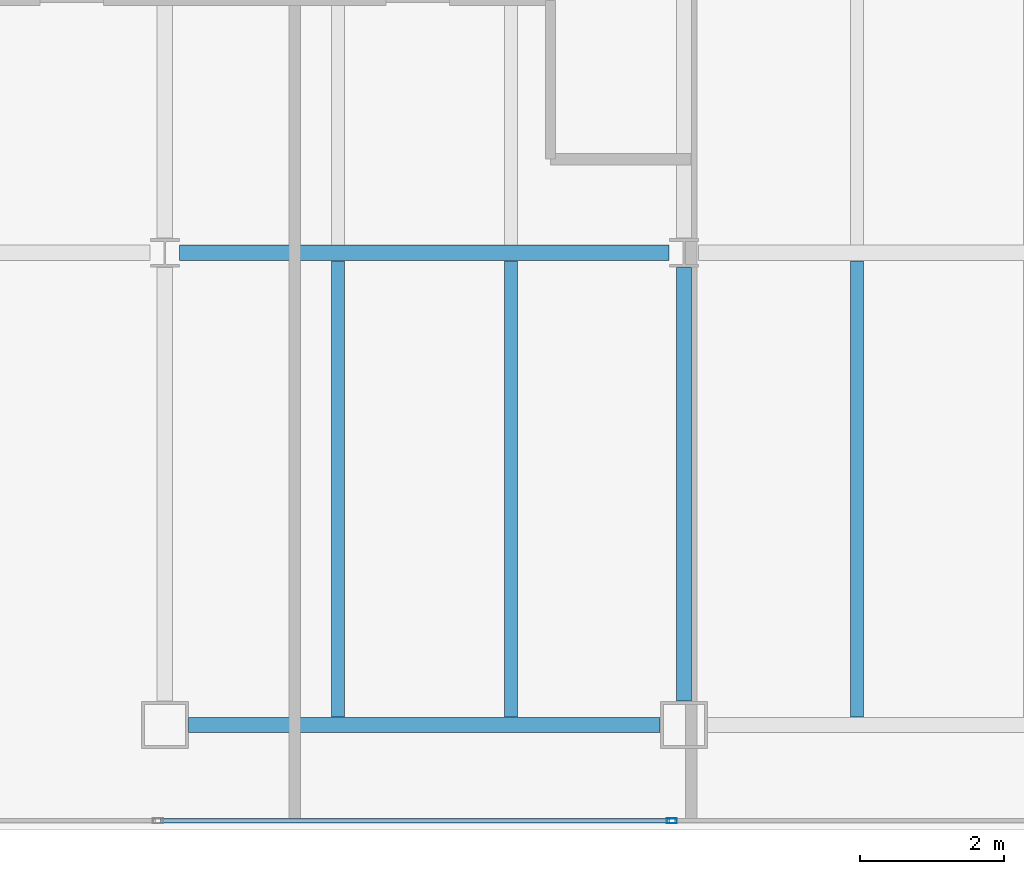
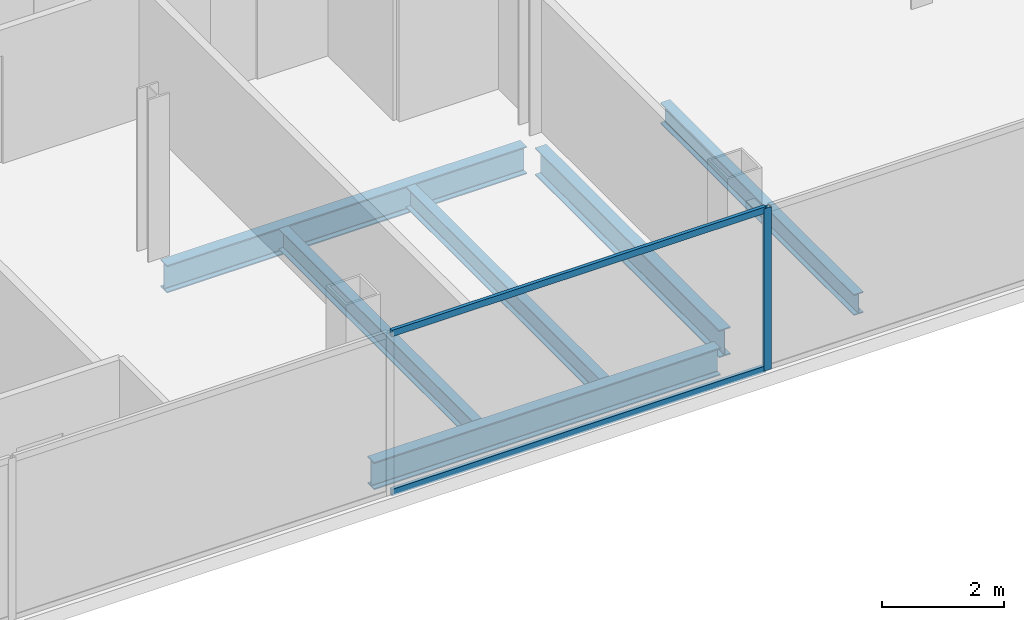
# One storey, part 6 of 23: 6 beams, 3 members, 1 element without a shape of its own.
"""IFC4 building model written with IfcOpenShell, lengths in metres."""

from ifc_helpers import new_model, si_unit, direction, frame, origin, origin_2d, place, context, subcontext, project, spatial, hollow_rectangle, i_section, extrude, material, material_profile, profile_set, type_object, element, aggregate, save


model = new_model("IFC4")

# Units and contexts
model_context = context("Model", 3, precision=1e-05, world=origin(), true_north=direction((0.0, 1.0)))
body_context = subcontext(model_context, "Body", "Model", "MODEL_VIEW")
ifc_project = project(units=[si_unit("LENGTHUNIT", "METRE"), si_unit("AREAUNIT", "SQUARE_METRE"), si_unit("VOLUMEUNIT", "CUBIC_METRE"), si_unit("PLANEANGLEUNIT", "RADIAN"), si_unit("MASSUNIT", "GRAM", prefix="KILO")], contexts=[model_context])

# Site, building, storey
site_placement = place(None, origin())
site = spatial("IfcSite", under=ifc_project, at=site_placement, CompositionType="ELEMENT")
building_placement = place(site_placement, origin())
building = spatial("IfcBuilding", under=site, at=building_placement, Name="Cobrela Telecom Tower", CompositionType="ELEMENT")
storey_placement = place(building_placement, frame((0.0, 0.0, 269.14990234375)))
storey = spatial("IfcBuildingStorey", under=building, at=storey_placement, Name="L70", CompositionType="ELEMENT", Elevation=269.14990234375)

# Beams
ifc_material_1 = material(Name="Steel ASTM A992 Grade 50", Category="steel")
ifc_material_profile_1 = material_profile(ifc_material_1, i_section(OverallWidth=0.212890625, OverallDepth=0.549072265625, WebThickness=0.0146484375, FlangeThickness=0.023681640625, FilletRadius=0.013916015625, at=origin_2d()), Name="W21X93")
ifc_profile_set_1 = profile_set([ifc_material_profile_1], Name="Steel ASTM A992 Grade 50")
beam_type_1 = type_object("IfcBeamType", Name="BM-GIRD-08", PredefinedType="USERDEFINED", material=ifc_profile_set_1)
beam_1_placement = place(storey_placement, frame((21.929931640625, 7.85009765625, -0.534423828125), z_axis=(1.0, 0.0, 0.0), x_axis=(0.0, 1.0, 0.0)))
element("IfcBeam", 1, at=beam_1_placement, inside=storey, type_object=beam_type_1, Name="L70 Primary Girder X03", ObjectType="GIRDER", PredefinedType="USERDEFINED", context=body_context, shape_type="SweptSolid", body=[
    extrude(i_section(OverallWidth=0.212890625, OverallDepth=0.549072265625, WebThickness=0.0146484375, FlangeThickness=0.023681640625, FilletRadius=0.013916015625, at=origin_2d()), origin(), (0.0, 0.0, 1.0), 6.5400390625),
])
beam_2_placement = place(storey_placement, frame((21.804443359375, 14.39990234375, -0.534423828125), z_axis=(1.0, 0.0, 0.0), x_axis=(0.0, 1.0, 0.0)))
element("IfcBeam", 2, at=beam_2_placement, inside=storey, type_object=beam_type_1, Name="L70 Primary Girder X06", ObjectType="GIRDER", PredefinedType="USERDEFINED", context=body_context, shape_type="SweptSolid", body=[
    extrude(i_section(OverallWidth=0.212890625, OverallDepth=0.549072265625, WebThickness=0.0146484375, FlangeThickness=0.023681640625, FilletRadius=0.013916015625, at=origin_2d()), origin(), (0.0, 0.0, 1.0), 6.791015625),
])
beam_3_placement = place(storey_placement, frame((28.800048828125, 8.179931640625, -0.534423828125), z_axis=(0.0, 1.0, 0.0), x_axis=(-1.0, 0.0, 0.0)))
element("IfcBeam", 3, at=beam_3_placement, inside=storey, type_object=beam_type_1, Name="L70 Primary Girder Y29", ObjectType="GIRDER", PredefinedType="USERDEFINED", context=body_context, shape_type="SweptSolid", body=[
    extrude(i_section(OverallWidth=0.212890625, OverallDepth=0.549072265625, WebThickness=0.0146484375, FlangeThickness=0.023681640625, FilletRadius=0.013916015625, at=origin_2d()), origin(), (0.0, 0.0, 1.0), 6.015625),
])
ifc_material_profile_2 = material_profile(ifc_material_1, i_section(OverallWidth=0.179931640625, OverallDepth=0.4169921875, WebThickness=0.010986328125, FlangeThickness=0.01806640625, FilletRadius=0.011962890625, at=origin_2d()), Name="W16X57")
ifc_profile_set_2 = profile_set([ifc_material_profile_2], Name="Steel ASTM A992 Grade 50")
beam_type_2 = type_object("IfcBeamType", Name="BM-JOIST-04", PredefinedType="JOIST", material=ifc_profile_set_2)
for number, where, z_axis, x_axis, name in (
    (4, (24.0, 7.96142578125, -0.468505859375), (0.0, 1.0, 0.0), (-1.0, 0.0, 0.0), "L70 Secondary Composite Floor Beam J07"),
    (5, (26.39990234375, 7.96142578125, -0.468505859375), (0.0, 1.0, 0.0), (-1.0, 0.0, 0.0), "L70 Secondary Composite Floor Beam J09"),
    (6, (31.199951171875, 7.96142578125, -0.468505859375), (0.0, 1.0, 0.0), (-1.0, 0.0, 0.0), "L70 Secondary Composite Floor Beam J11"),
):
    element("IfcBeam", number, at=place(storey_placement, frame(where, z_axis=z_axis, x_axis=x_axis)), inside=storey, type_object=beam_type_2, Name=name, PredefinedType="JOIST", context=body_context, shape_type="SweptSolid", body=[
        extrude(i_section(OverallWidth=0.179931640625, OverallDepth=0.4169921875, WebThickness=0.010986328125, FlangeThickness=0.01806640625, FilletRadius=0.011962890625, at=origin_2d()), origin(), (0.0, 0.0, 1.0), 6.3271484375),
    ])

# Curtain wall, members
ifc_material_2 = material(Name="Anodized Bronze Aluminium 6063-T6", Category="aluminium")
curtain_wall_type = type_object("IfcCurtainWallType", Name="CW-SYS-OFF-HI", PredefinedType="USERDEFINED", material=ifc_material_2)
curtain_wall_placement = place(storey_placement, origin())
curtain_wall = element("IfcCurtainWall", 7, at=curtain_wall_placement, inside=storey, type_object=curtain_wall_type, Name="L70 Unitised Bronze Curtain Wall 15", ObjectType="UNITISED CURTAIN WALL", PredefinedType="USERDEFINED")
ifc_material_profile_3 = material_profile(ifc_material_2, hollow_rectangle(XDim=0.070068359375, YDim=0.139892578125, WallThickness=0.00390625, at=origin_2d()), Name="ALU 70x140x4")
ifc_profile_set_3 = profile_set([ifc_material_profile_3], Name="Anodized Bronze Aluminium 6063-T6")
member_type_1 = type_object("IfcMemberType", Name="CW-SYS-OFF-HI-MUL", PredefinedType="MULLION", material=ifc_profile_set_3)
member_1_placement = place(storey_placement, frame((28.63330078125, 6.52001953125, 0.0), z_axis=(0.0, 0.0, 1.0), x_axis=(0.0, -1.0, 0.0)))
member_1 = element("IfcMember", 8, at=member_1_placement, type_object=member_type_1, Name="CW-OFF-HI mullion 3", PredefinedType="MULLION", context=body_context, shape_type="SweptSolid", body=[
    extrude(hollow_rectangle(XDim=0.070068359375, YDim=0.139892578125, WallThickness=0.00390625, at=origin_2d()), origin(), (0.0, 0.0, 1.0), 3.239990234375),
])
ifc_material_profile_4 = material_profile(ifc_material_2, hollow_rectangle(XDim=0.06494140625, YDim=0.1298828125, WallThickness=0.00390625, at=origin_2d()), Name="ALU 65x130x4")
ifc_profile_set_4 = profile_set([ifc_material_profile_4], Name="Anodized Bronze Aluminium 6063-T6")
member_type_2 = type_object("IfcMemberType", Name="CW-SYS-OFF-HI-TRN", PredefinedType="USERDEFINED", material=ifc_profile_set_4)
member_2_placement = place(storey_placement, frame((28.598388671875, 6.52001953125, 0.03271484375), z_axis=(-1.0, 0.0, 0.0), x_axis=(0.0, -1.0, 0.0)))
member_2 = element("IfcMember", 9, at=member_2_placement, type_object=member_type_2, Name="CW-OFF-HI transom 3.1", ObjectType="TRANSOM", PredefinedType="USERDEFINED", context=body_context, shape_type="SweptSolid", body=[
    extrude(hollow_rectangle(XDim=0.06494140625, YDim=0.1298828125, WallThickness=0.00390625, at=origin_2d()), origin(), (0.0, 0.0, 1.0), 7.058349609375),
])
member_3_placement = place(storey_placement, frame((28.598388671875, 6.52001953125, 3.20751953125), z_axis=(-1.0, 0.0, 0.0), x_axis=(0.0, -1.0, 0.0)))
member_3 = element("IfcMember", 10, at=member_3_placement, type_object=member_type_2, Name="CW-OFF-HI transom 3.2", ObjectType="TRANSOM", PredefinedType="USERDEFINED", context=body_context, shape_type="SweptSolid", body=[
    extrude(hollow_rectangle(XDim=0.06494140625, YDim=0.1298828125, WallThickness=0.00390625, at=origin_2d()), origin(), (0.0, 0.0, 1.0), 7.058349609375),
])
aggregate(curtain_wall, [member_1, member_2, member_3])

save(model, "model.ifc")
